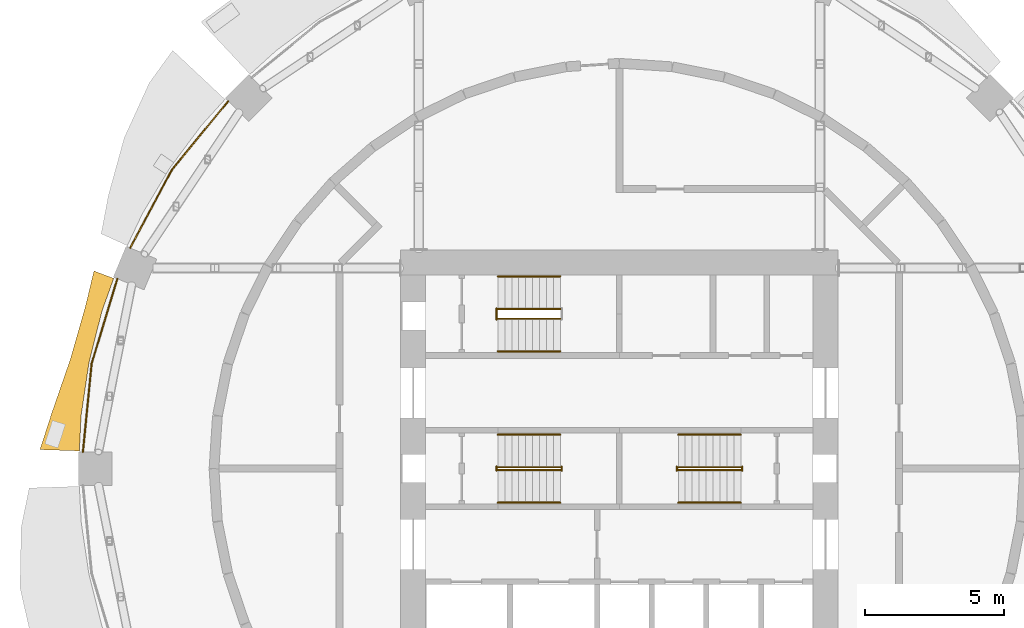
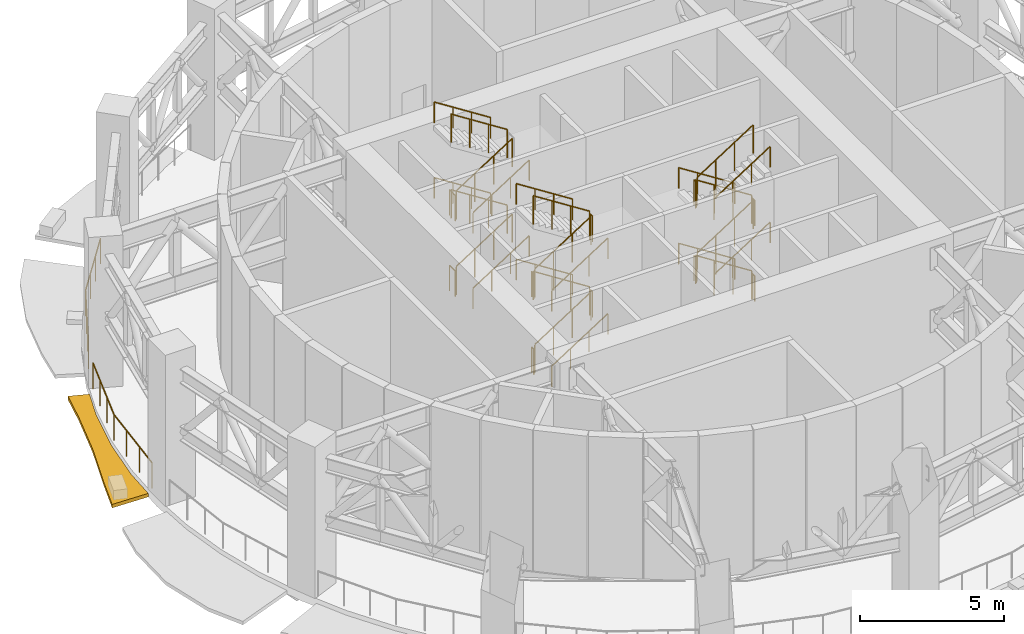
# One storey, part 11 of 14: 36 railings, 1 shading device.
"""IFC4 building model written with IfcOpenShell, lengths in metres."""

from ifc_helpers import new_model, si_unit, direction, frame, origin, origin_2d, place, context, subcontext, project, spatial, polyline, circle, outline, extrude, material, type_object, element, save


model = new_model("IFC4")

# Units and contexts
model_context = context("Model", 3, precision=1e-05, world=origin(), true_north=direction((0.0, 1.0)))
body_context = subcontext(model_context, "Body", "Model", "MODEL_VIEW")
ifc_project = project(units=[si_unit("LENGTHUNIT", "METRE"), si_unit("AREAUNIT", "SQUARE_METRE"), si_unit("VOLUMEUNIT", "CUBIC_METRE"), si_unit("PLANEANGLEUNIT", "RADIAN"), si_unit("MASSUNIT", "GRAM", prefix="KILO")], contexts=[model_context])

# Site, building, storey
site_placement = place(None, origin())
site = spatial("IfcSite", under=ifc_project, at=site_placement, CompositionType="ELEMENT")
building_placement = place(site_placement, origin())
building = spatial("IfcBuilding", under=site, at=building_placement, Name="Polderwave Tower", CompositionType="ELEMENT")
storey_placement = place(building_placement, frame((0.0, 0.0, 66.35009765625)))
storey = spatial("IfcBuildingStorey", under=building, at=storey_placement, Name="L17", CompositionType="ELEMENT", Elevation=66.35009765625)

# Railings
ifc_material_1 = material(Name="Stainless steel", Category="steel")
railing_type_1 = type_object("IfcRailingType", Name="Stair guard 1100", PredefinedType="GUARDRAIL", material=ifc_material_1)
railing_1_placement = place(storey_placement, frame((-4.3740234375, -0.051025390625, 0.039794921875)))
element("IfcRailing", 1, at=railing_1_placement, inside=storey, type_object=railing_type_1, Name="L17 ST-A stair guard 1", PredefinedType="GUARDRAIL", context=body_context, shape_type="SweptSolid", body=[
    extrude(circle(Radius=0.02392578125, at=origin_2d()), frame((0.0, 0.0, 1.1962890625), z_axis=(0.842281359387, 0.0, 0.539038135598), x_axis=(0.0, 1.0, 0.0)), (0.0, 0.0, 1.0), 2.67138671875),
    extrude(circle(Radius=0.02392578125, at=origin_2d()), origin(), (0.0, 0.0, 1.0), 1.172119140625),
    extrude(circle(Radius=0.02392578125, at=origin_2d()), frame((0.75, 0.0, 0.47998046875)), (0.0, 0.0, 1.0), 1.172119140625),
    extrude(circle(Radius=0.02392578125, at=origin_2d()), frame((1.5, 0.0, 0.9599609375)), (0.0, 0.0, 1.0), 1.172119140625),
    extrude(circle(Radius=0.02392578125, at=origin_2d()), frame((2.25, 0.0, 1.43994140625)), (0.0, 0.0, 1.0), 1.172119140625),
])
railing_2_placement = place(storey_placement, frame((-2.073974609375, -0.074951171875, 1.599853515625)))
element("IfcRailing", 2, at=railing_2_placement, inside=storey, type_object=railing_type_1, Name="L17 ST-A stair guard 2", PredefinedType="GUARDRAIL", context=body_context, shape_type="SweptSolid", body=[
    extrude(circle(Radius=0.02392578125, at=origin_2d()), frame((0.0, 0.0, 1.076171875), z_axis=(0.0, 1.0, 0.0), x_axis=(-1.0, 0.0, 0.0)), (0.0, 0.0, 1.0), 0.14990234375),
    extrude(circle(Radius=0.02099609375, at=origin_2d()), origin(), (0.0, 0.0, 1.0), 1.052001953125),
    extrude(circle(Radius=0.02099609375, at=origin_2d()), frame((0.0, 0.14990234375, 0.0)), (0.0, 0.0, 1.0), 1.052001953125),
])
railing_3_placement = place(storey_placement, frame((-2.1240234375, 0.051025390625, 1.639892578125)))
element("IfcRailing", 3, at=railing_3_placement, inside=storey, type_object=railing_type_1, Name="L17 ST-A stair guard 3", PredefinedType="GUARDRAIL", context=body_context, shape_type="SweptSolid", body=[
    extrude(circle(Radius=0.02392578125, at=origin_2d()), frame((0.0, 0.0, 1.1962890625), z_axis=(-0.842281359387, 0.0, 0.539038135598), x_axis=(0.0, -1.0, 0.0)), (0.0, 0.0, 1.0), 2.67138671875),
    extrude(circle(Radius=0.02392578125, at=origin_2d()), origin(), (0.0, 0.0, 1.0), 1.172119140625),
    extrude(circle(Radius=0.02392578125, at=origin_2d()), frame((-0.75, 0.0, 0.47998046875)), (0.0, 0.0, 1.0), 1.172119140625),
    extrude(circle(Radius=0.02392578125, at=origin_2d()), frame((-1.5, 0.0, 0.9599609375)), (0.0, 0.0, 1.0), 1.172119140625),
    extrude(circle(Radius=0.02392578125, at=origin_2d()), frame((-2.25, 0.0, 1.43994140625)), (0.0, 0.0, 1.0), 1.172119140625),
])
railing_4_placement = place(storey_placement, frame((-4.424072265625, -0.074951171875, 3.199951171875)))
element("IfcRailing", 4, at=railing_4_placement, inside=storey, type_object=railing_type_1, Name="L17 ST-A stair guard 4", PredefinedType="GUARDRAIL", context=body_context, shape_type="SweptSolid", body=[
    extrude(circle(Radius=0.02392578125, at=origin_2d()), frame((0.0, 0.0, 1.076171875), z_axis=(0.0, 1.0, 0.0), x_axis=(-1.0, 0.0, 0.0)), (0.0, 0.0, 1.0), 0.14990234375),
    extrude(circle(Radius=0.02099609375, at=origin_2d()), origin(), (0.0, 0.0, 1.0), 1.052001953125),
    extrude(circle(Radius=0.02099609375, at=origin_2d()), frame((0.0, 0.14990234375, 0.0)), (0.0, 0.0, 1.0), 1.052001953125),
])
railing_5_placement = place(storey_placement, frame((-4.3740234375, -0.051025390625, 3.23974609375)))
element("IfcRailing", 5, at=railing_5_placement, inside=storey, type_object=railing_type_1, Name="L17 ST-A stair guard 5", PredefinedType="GUARDRAIL", context=body_context, shape_type="SweptSolid", body=[
    extrude(circle(Radius=0.02392578125, at=origin_2d()), frame((0.0, 0.0, 1.1962890625), z_axis=(0.842281359387, 0.0, 0.539038135598), x_axis=(0.0, 1.0, 0.0)), (0.0, 0.0, 1.0), 2.67138671875),
    extrude(circle(Radius=0.02392578125, at=origin_2d()), origin(), (0.0, 0.0, 1.0), 1.172119140625),
    extrude(circle(Radius=0.02392578125, at=origin_2d()), frame((0.75, 0.0, 0.47998046875)), (0.0, 0.0, 1.0), 1.172119140625),
    extrude(circle(Radius=0.02392578125, at=origin_2d()), frame((1.5, 0.0, 0.9599609375)), (0.0, 0.0, 1.0), 1.172119140625),
    extrude(circle(Radius=0.02392578125, at=origin_2d()), frame((2.25, 0.0, 1.43994140625)), (0.0, 0.0, 1.0), 1.172119140625),
])
railing_6_placement = place(storey_placement, frame((-2.073974609375, -0.074951171875, 4.7998046875)))
element("IfcRailing", 6, at=railing_6_placement, inside=storey, type_object=railing_type_1, Name="L17 ST-A stair guard 6", PredefinedType="GUARDRAIL", context=body_context, shape_type="SweptSolid", body=[
    extrude(circle(Radius=0.02392578125, at=origin_2d()), frame((0.0, 0.0, 1.076171875), z_axis=(0.0, 1.0, 0.0), x_axis=(-1.0, 0.0, 0.0)), (0.0, 0.0, 1.0), 0.14990234375),
    extrude(circle(Radius=0.02099609375, at=origin_2d()), origin(), (0.0, 0.0, 1.0), 1.052001953125),
    extrude(circle(Radius=0.02099609375, at=origin_2d()), frame((0.0, 0.14990234375, 0.0)), (0.0, 0.0, 1.0), 1.052001953125),
])
railing_7_placement = place(storey_placement, frame((-2.1240234375, 0.051025390625, 4.83984375)))
element("IfcRailing", 7, at=railing_7_placement, inside=storey, type_object=railing_type_1, Name="L17 ST-A stair guard 7", PredefinedType="GUARDRAIL", context=body_context, shape_type="SweptSolid", body=[
    extrude(circle(Radius=0.02392578125, at=origin_2d()), frame((0.0, 0.0, 1.1962890625), z_axis=(-0.842281359387, 0.0, 0.539038135598), x_axis=(0.0, -1.0, 0.0)), (0.0, 0.0, 1.0), 2.67138671875),
    extrude(circle(Radius=0.02392578125, at=origin_2d()), origin(), (0.0, 0.0, 1.0), 1.172119140625),
    extrude(circle(Radius=0.02392578125, at=origin_2d()), frame((-0.75, 0.0, 0.47998046875)), (0.0, 0.0, 1.0), 1.172119140625),
    extrude(circle(Radius=0.02392578125, at=origin_2d()), frame((-1.5, 0.0, 0.9599609375)), (0.0, 0.0, 1.0), 1.172119140625),
    extrude(circle(Radius=0.02392578125, at=origin_2d()), frame((-2.25, 0.0, 1.43994140625)), (0.0, 0.0, 1.0), 1.172119140625),
])
railing_8_placement = place(storey_placement, frame((-4.424072265625, -0.074951171875, 0.0)))
element("IfcRailing", 8, at=railing_8_placement, inside=storey, type_object=railing_type_1, Name="L17 ST-A stair guard 8", PredefinedType="GUARDRAIL", context=body_context, shape_type="SweptSolid", body=[
    extrude(circle(Radius=0.02392578125, at=origin_2d()), frame((0.0, 0.0, 1.076171875), z_axis=(0.0, 1.0, 0.0), x_axis=(-1.0, 0.0, 0.0)), (0.0, 0.0, 1.0), 0.14990234375),
    extrude(circle(Radius=0.02099609375, at=origin_2d()), origin(), (0.0, 0.0, 1.0), 1.052001953125),
    extrude(circle(Radius=0.02099609375, at=origin_2d()), frame((0.0, 0.14990234375, 0.0)), (0.0, 0.0, 1.0), 1.052001953125),
])
railing_9_placement = place(storey_placement, frame((4.3740234375, 0.051025390625, 0.039794921875)))
element("IfcRailing", 9, at=railing_9_placement, inside=storey, type_object=railing_type_1, Name="L17 ST-B stair guard 1", PredefinedType="GUARDRAIL", context=body_context, shape_type="SweptSolid", body=[
    extrude(circle(Radius=0.02392578125, at=origin_2d()), frame((0.0, 0.0, 1.1962890625), z_axis=(-0.842281359387, 0.0, 0.539038135598), x_axis=(0.0, -1.0, 0.0)), (0.0, 0.0, 1.0), 2.67138671875),
    extrude(circle(Radius=0.02392578125, at=origin_2d()), origin(), (0.0, 0.0, 1.0), 1.172119140625),
    extrude(circle(Radius=0.02392578125, at=origin_2d()), frame((-0.75, 0.0, 0.47998046875)), (0.0, 0.0, 1.0), 1.172119140625),
    extrude(circle(Radius=0.02392578125, at=origin_2d()), frame((-1.5, 0.0, 0.9599609375)), (0.0, 0.0, 1.0), 1.172119140625),
    extrude(circle(Radius=0.02392578125, at=origin_2d()), frame((-2.25, 0.0, 1.43994140625)), (0.0, 0.0, 1.0), 1.172119140625),
])
railing_10_placement = place(storey_placement, frame((2.073974609375, 0.074951171875, 1.599853515625)))
element("IfcRailing", 10, at=railing_10_placement, inside=storey, type_object=railing_type_1, Name="L17 ST-B stair guard 2", PredefinedType="GUARDRAIL", context=body_context, shape_type="SweptSolid", body=[
    extrude(circle(Radius=0.02392578125, at=origin_2d()), frame((0.0, 0.0, 1.076171875), z_axis=(0.0, -1.0, 0.0), x_axis=(1.0, 0.0, 0.0)), (0.0, 0.0, 1.0), 0.14990234375),
    extrude(circle(Radius=0.02099609375, at=origin_2d()), origin(), (0.0, 0.0, 1.0), 1.052001953125),
    extrude(circle(Radius=0.02099609375, at=origin_2d()), frame((0.0, -0.14990234375, 0.0)), (0.0, 0.0, 1.0), 1.052001953125),
])
railing_11_placement = place(storey_placement, frame((2.1240234375, -0.051025390625, 1.639892578125)))
element("IfcRailing", 11, at=railing_11_placement, inside=storey, type_object=railing_type_1, Name="L17 ST-B stair guard 3", PredefinedType="GUARDRAIL", context=body_context, shape_type="SweptSolid", body=[
    extrude(circle(Radius=0.02392578125, at=origin_2d()), frame((0.0, 0.0, 1.1962890625), z_axis=(0.842281359387, 0.0, 0.539038135598), x_axis=(0.0, 1.0, 0.0)), (0.0, 0.0, 1.0), 2.67138671875),
    extrude(circle(Radius=0.02392578125, at=origin_2d()), origin(), (0.0, 0.0, 1.0), 1.172119140625),
    extrude(circle(Radius=0.02392578125, at=origin_2d()), frame((0.75, 0.0, 0.47998046875)), (0.0, 0.0, 1.0), 1.172119140625),
    extrude(circle(Radius=0.02392578125, at=origin_2d()), frame((1.5, 0.0, 0.9599609375)), (0.0, 0.0, 1.0), 1.172119140625),
    extrude(circle(Radius=0.02392578125, at=origin_2d()), frame((2.25, 0.0, 1.43994140625)), (0.0, 0.0, 1.0), 1.172119140625),
])
railing_12_placement = place(storey_placement, frame((4.424072265625, 0.074951171875, 3.199951171875)))
element("IfcRailing", 12, at=railing_12_placement, inside=storey, type_object=railing_type_1, Name="L17 ST-B stair guard 4", PredefinedType="GUARDRAIL", context=body_context, shape_type="SweptSolid", body=[
    extrude(circle(Radius=0.02392578125, at=origin_2d()), frame((0.0, 0.0, 1.076171875), z_axis=(0.0, -1.0, 0.0), x_axis=(1.0, 0.0, 0.0)), (0.0, 0.0, 1.0), 0.14990234375),
    extrude(circle(Radius=0.02099609375, at=origin_2d()), origin(), (0.0, 0.0, 1.0), 1.052001953125),
    extrude(circle(Radius=0.02099609375, at=origin_2d()), frame((0.0, -0.14990234375, 0.0)), (0.0, 0.0, 1.0), 1.052001953125),
])
railing_13_placement = place(storey_placement, frame((4.3740234375, 0.051025390625, 3.23974609375)))
element("IfcRailing", 13, at=railing_13_placement, inside=storey, type_object=railing_type_1, Name="L17 ST-B stair guard 5", PredefinedType="GUARDRAIL", context=body_context, shape_type="SweptSolid", body=[
    extrude(circle(Radius=0.02392578125, at=origin_2d()), frame((0.0, 0.0, 1.1962890625), z_axis=(-0.842281359387, 0.0, 0.539038135598), x_axis=(0.0, -1.0, 0.0)), (0.0, 0.0, 1.0), 2.67138671875),
    extrude(circle(Radius=0.02392578125, at=origin_2d()), origin(), (0.0, 0.0, 1.0), 1.172119140625),
    extrude(circle(Radius=0.02392578125, at=origin_2d()), frame((-0.75, 0.0, 0.47998046875)), (0.0, 0.0, 1.0), 1.172119140625),
    extrude(circle(Radius=0.02392578125, at=origin_2d()), frame((-1.5, 0.0, 0.9599609375)), (0.0, 0.0, 1.0), 1.172119140625),
    extrude(circle(Radius=0.02392578125, at=origin_2d()), frame((-2.25, 0.0, 1.43994140625)), (0.0, 0.0, 1.0), 1.172119140625),
])
railing_14_placement = place(storey_placement, frame((2.073974609375, 0.074951171875, 4.7998046875)))
element("IfcRailing", 14, at=railing_14_placement, inside=storey, type_object=railing_type_1, Name="L17 ST-B stair guard 6", PredefinedType="GUARDRAIL", context=body_context, shape_type="SweptSolid", body=[
    extrude(circle(Radius=0.02392578125, at=origin_2d()), frame((0.0, 0.0, 1.076171875), z_axis=(0.0, -1.0, 0.0), x_axis=(1.0, 0.0, 0.0)), (0.0, 0.0, 1.0), 0.14990234375),
    extrude(circle(Radius=0.02099609375, at=origin_2d()), origin(), (0.0, 0.0, 1.0), 1.052001953125),
    extrude(circle(Radius=0.02099609375, at=origin_2d()), frame((0.0, -0.14990234375, 0.0)), (0.0, 0.0, 1.0), 1.052001953125),
])
railing_15_placement = place(storey_placement, frame((2.1240234375, -0.051025390625, 4.83984375)))
element("IfcRailing", 15, at=railing_15_placement, inside=storey, type_object=railing_type_1, Name="L17 ST-B stair guard 7", PredefinedType="GUARDRAIL", context=body_context, shape_type="SweptSolid", body=[
    extrude(circle(Radius=0.02392578125, at=origin_2d()), frame((0.0, 0.0, 1.1962890625), z_axis=(0.842281359387, 0.0, 0.539038135598), x_axis=(0.0, 1.0, 0.0)), (0.0, 0.0, 1.0), 2.67138671875),
    extrude(circle(Radius=0.02392578125, at=origin_2d()), origin(), (0.0, 0.0, 1.0), 1.172119140625),
    extrude(circle(Radius=0.02392578125, at=origin_2d()), frame((0.75, 0.0, 0.47998046875)), (0.0, 0.0, 1.0), 1.172119140625),
    extrude(circle(Radius=0.02392578125, at=origin_2d()), frame((1.5, 0.0, 0.9599609375)), (0.0, 0.0, 1.0), 1.172119140625),
    extrude(circle(Radius=0.02392578125, at=origin_2d()), frame((2.25, 0.0, 1.43994140625)), (0.0, 0.0, 1.0), 1.172119140625),
])
railing_16_placement = place(storey_placement, frame((4.424072265625, 0.074951171875, 0.0)))
element("IfcRailing", 16, at=railing_16_placement, inside=storey, type_object=railing_type_1, Name="L17 ST-B stair guard 8", PredefinedType="GUARDRAIL", context=body_context, shape_type="SweptSolid", body=[
    extrude(circle(Radius=0.02392578125, at=origin_2d()), frame((0.0, 0.0, 1.076171875), z_axis=(0.0, -1.0, 0.0), x_axis=(1.0, 0.0, 0.0)), (0.0, 0.0, 1.0), 0.14990234375),
    extrude(circle(Radius=0.02099609375, at=origin_2d()), origin(), (0.0, 0.0, 1.0), 1.052001953125),
    extrude(circle(Radius=0.02099609375, at=origin_2d()), frame((0.0, -0.14990234375, 0.0)), (0.0, 0.0, 1.0), 1.052001953125),
])
railing_17_placement = place(storey_placement, frame((-4.3740234375, 5.39794921875, 0.039794921875)))
element("IfcRailing", 17, at=railing_17_placement, inside=storey, type_object=railing_type_1, Name="L17 ST-C stair guard 1", PredefinedType="GUARDRAIL", context=body_context, shape_type="SweptSolid", body=[
    extrude(circle(Radius=0.02392578125, at=origin_2d()), frame((0.0, 0.0, 1.1962890625), z_axis=(0.842281359387, 0.0, 0.539038135598), x_axis=(0.0, 1.0, 0.0)), (0.0, 0.0, 1.0), 2.67138671875),
    extrude(circle(Radius=0.02392578125, at=origin_2d()), origin(), (0.0, 0.0, 1.0), 1.172119140625),
    extrude(circle(Radius=0.02392578125, at=origin_2d()), frame((0.75, 0.0, 0.47998046875)), (0.0, 0.0, 1.0), 1.172119140625),
    extrude(circle(Radius=0.02392578125, at=origin_2d()), frame((1.5, 0.0, 0.9599609375)), (0.0, 0.0, 1.0), 1.172119140625),
    extrude(circle(Radius=0.02392578125, at=origin_2d()), frame((2.25, 0.0, 1.43994140625)), (0.0, 0.0, 1.0), 1.172119140625),
])
railing_18_placement = place(storey_placement, frame((-2.1240234375, 5.75, 1.639892578125)))
element("IfcRailing", 18, at=railing_18_placement, inside=storey, type_object=railing_type_1, Name="L17 ST-C stair guard 3", PredefinedType="GUARDRAIL", context=body_context, shape_type="SweptSolid", body=[
    extrude(circle(Radius=0.02392578125, at=origin_2d()), frame((0.0, 0.0, 1.1962890625), z_axis=(-0.842281359387, 0.0, 0.539038135598), x_axis=(0.0, -1.0, 0.0)), (0.0, 0.0, 1.0), 2.67138671875),
    extrude(circle(Radius=0.02392578125, at=origin_2d()), origin(), (0.0, 0.0, 1.0), 1.172119140625),
    extrude(circle(Radius=0.02392578125, at=origin_2d()), frame((-0.75, 0.0, 0.47998046875)), (0.0, 0.0, 1.0), 1.172119140625),
    extrude(circle(Radius=0.02392578125, at=origin_2d()), frame((-1.5, 0.0, 0.9599609375)), (0.0, 0.0, 1.0), 1.172119140625),
    extrude(circle(Radius=0.02392578125, at=origin_2d()), frame((-2.25, 0.0, 1.43994140625)), (0.0, 0.0, 1.0), 1.172119140625),
])
railing_19_placement = place(storey_placement, frame((-4.424072265625, 5.3740234375, 3.199951171875)))
element("IfcRailing", 19, at=railing_19_placement, inside=storey, type_object=railing_type_1, Name="L17 ST-C stair guard 4", PredefinedType="GUARDRAIL", context=body_context, shape_type="SweptSolid", body=[
    extrude(circle(Radius=0.02392578125, at=origin_2d()), frame((0.0, 0.0, 1.076171875), z_axis=(0.0, 1.0, 0.0), x_axis=(-1.0, 0.0, 0.0)), (0.0, 0.0, 1.0), 0.39990234375),
    extrude(circle(Radius=0.02099609375, at=origin_2d()), origin(), (0.0, 0.0, 1.0), 1.052001953125),
    extrude(circle(Radius=0.02099609375, at=origin_2d()), frame((0.0, 0.39990234375, 0.0)), (0.0, 0.0, 1.0), 1.052001953125),
])
railing_20_placement = place(storey_placement, frame((-4.3740234375, 5.39794921875, 3.23974609375)))
element("IfcRailing", 20, at=railing_20_placement, inside=storey, type_object=railing_type_1, Name="L17 ST-C stair guard 5", PredefinedType="GUARDRAIL", context=body_context, shape_type="SweptSolid", body=[
    extrude(circle(Radius=0.02392578125, at=origin_2d()), frame((0.0, 0.0, 1.1962890625), z_axis=(0.842281359387, 0.0, 0.539038135598), x_axis=(0.0, 1.0, 0.0)), (0.0, 0.0, 1.0), 2.67138671875),
    extrude(circle(Radius=0.02392578125, at=origin_2d()), origin(), (0.0, 0.0, 1.0), 1.172119140625),
    extrude(circle(Radius=0.02392578125, at=origin_2d()), frame((0.75, 0.0, 0.47998046875)), (0.0, 0.0, 1.0), 1.172119140625),
    extrude(circle(Radius=0.02392578125, at=origin_2d()), frame((1.5, 0.0, 0.9599609375)), (0.0, 0.0, 1.0), 1.172119140625),
    extrude(circle(Radius=0.02392578125, at=origin_2d()), frame((2.25, 0.0, 1.43994140625)), (0.0, 0.0, 1.0), 1.172119140625),
])
railing_21_placement = place(storey_placement, frame((-2.1240234375, 5.75, 4.83984375)))
element("IfcRailing", 21, at=railing_21_placement, inside=storey, type_object=railing_type_1, Name="L17 ST-C stair guard 7", PredefinedType="GUARDRAIL", context=body_context, shape_type="SweptSolid", body=[
    extrude(circle(Radius=0.02392578125, at=origin_2d()), frame((0.0, 0.0, 1.1962890625), z_axis=(-0.842281359387, 0.0, 0.539038135598), x_axis=(0.0, -1.0, 0.0)), (0.0, 0.0, 1.0), 2.67138671875),
    extrude(circle(Radius=0.02392578125, at=origin_2d()), origin(), (0.0, 0.0, 1.0), 1.172119140625),
    extrude(circle(Radius=0.02392578125, at=origin_2d()), frame((-0.75, 0.0, 0.47998046875)), (0.0, 0.0, 1.0), 1.172119140625),
    extrude(circle(Radius=0.02392578125, at=origin_2d()), frame((-1.5, 0.0, 0.9599609375)), (0.0, 0.0, 1.0), 1.172119140625),
    extrude(circle(Radius=0.02392578125, at=origin_2d()), frame((-2.25, 0.0, 1.43994140625)), (0.0, 0.0, 1.0), 1.172119140625),
])
railing_22_placement = place(storey_placement, frame((-4.424072265625, 5.3740234375, 0.0)))
element("IfcRailing", 22, at=railing_22_placement, inside=storey, type_object=railing_type_1, Name="L17 ST-C stair guard 8", PredefinedType="GUARDRAIL", context=body_context, shape_type="SweptSolid", body=[
    extrude(circle(Radius=0.02392578125, at=origin_2d()), frame((0.0, 0.0, 1.076171875), z_axis=(0.0, 1.0, 0.0), x_axis=(-1.0, 0.0, 0.0)), (0.0, 0.0, 1.0), 0.39990234375),
    extrude(circle(Radius=0.02099609375, at=origin_2d()), origin(), (0.0, 0.0, 1.0), 1.052001953125),
    extrude(circle(Radius=0.02099609375, at=origin_2d()), frame((0.0, 0.39990234375, 0.0)), (0.0, 0.0, 1.0), 1.052001953125),
])
railing_type_2 = type_object("IfcRailingType", Name="Stair handrail 900", PredefinedType="HANDRAIL", material=ifc_material_1)
railing_23_placement = place(storey_placement, frame((-4.3740234375, -1.22509765625, 0.159912109375)))
element("IfcRailing", 23, at=railing_23_placement, inside=storey, type_object=railing_type_2, Name="L17 ST-A stair handrail 1", PredefinedType="HANDRAIL", context=body_context, shape_type="SweptSolid", body=[
    extrude(circle(Radius=0.02392578125, at=origin_2d()), frame((0.0, 0.0, 0.8759765625), z_axis=(0.842281359387, 0.0, 0.539038135598), x_axis=(0.0, 1.0, 0.0)), (0.0, 0.0, 1.0), 2.67138671875),
    extrude(circle(Radius=0.02099609375, at=origin_2d()), origin(), (0.0, 0.0, 1.0), 0.851806640625),
    extrude(circle(Radius=0.02099609375, at=origin_2d()), frame((0.75, 0.0, 0.47998046875)), (0.0, 0.0, 1.0), 0.851806640625),
    extrude(circle(Radius=0.02099609375, at=origin_2d()), frame((1.5, 0.0, 0.9599609375)), (0.0, 0.0, 1.0), 0.851806640625),
    extrude(circle(Radius=0.02099609375, at=origin_2d()), frame((2.25, 0.0, 1.43994140625)), (0.0, 0.0, 1.0), 0.851806640625),
])
railing_24_placement = place(storey_placement, frame((-2.1240234375, 1.22509765625, 1.760009765625)))
element("IfcRailing", 24, at=railing_24_placement, inside=storey, type_object=railing_type_2, Name="L17 ST-A stair handrail 2", PredefinedType="HANDRAIL", context=body_context, shape_type="SweptSolid", body=[
    extrude(circle(Radius=0.02392578125, at=origin_2d()), frame((0.0, 0.0, 0.8759765625), z_axis=(-0.842281359387, 0.0, 0.539038135598), x_axis=(0.0, -1.0, 0.0)), (0.0, 0.0, 1.0), 2.67138671875),
    extrude(circle(Radius=0.02099609375, at=origin_2d()), origin(), (0.0, 0.0, 1.0), 0.851806640625),
    extrude(circle(Radius=0.02099609375, at=origin_2d()), frame((-0.75, 0.0, 0.47998046875)), (0.0, 0.0, 1.0), 0.851806640625),
    extrude(circle(Radius=0.02099609375, at=origin_2d()), frame((-1.5, 0.0, 0.9599609375)), (0.0, 0.0, 1.0), 0.851806640625),
    extrude(circle(Radius=0.02099609375, at=origin_2d()), frame((-2.25, 0.0, 1.43994140625)), (0.0, 0.0, 1.0), 0.851806640625),
])
railing_25_placement = place(storey_placement, frame((-4.3740234375, -1.22509765625, 3.35986328125)))
element("IfcRailing", 25, at=railing_25_placement, inside=storey, type_object=railing_type_2, Name="L17 ST-A stair handrail 3", PredefinedType="HANDRAIL", context=body_context, shape_type="SweptSolid", body=[
    extrude(circle(Radius=0.02392578125, at=origin_2d()), frame((0.0, 0.0, 0.8759765625), z_axis=(0.842281359387, 0.0, 0.539038135598), x_axis=(0.0, 1.0, 0.0)), (0.0, 0.0, 1.0), 2.67138671875),
    extrude(circle(Radius=0.02099609375, at=origin_2d()), origin(), (0.0, 0.0, 1.0), 0.851806640625),
    extrude(circle(Radius=0.02099609375, at=origin_2d()), frame((0.75, 0.0, 0.47998046875)), (0.0, 0.0, 1.0), 0.851806640625),
    extrude(circle(Radius=0.02099609375, at=origin_2d()), frame((1.5, 0.0, 0.9599609375)), (0.0, 0.0, 1.0), 0.851806640625),
    extrude(circle(Radius=0.02099609375, at=origin_2d()), frame((2.25, 0.0, 1.43994140625)), (0.0, 0.0, 1.0), 0.851806640625),
])
for number, where, name in (
    (26, (-2.1240234375, 1.22509765625, 4.9599609375), "L17 ST-A stair handrail 4"),
    (27, (4.3740234375, 1.22509765625, 0.159912109375), "L17 ST-B stair handrail 1"),
):
    element("IfcRailing", number, at=place(storey_placement, frame(where)), inside=storey, type_object=railing_type_2, Name=name, PredefinedType="HANDRAIL", context=body_context, shape_type="SweptSolid", body=[
        extrude(circle(Radius=0.02392578125, at=origin_2d()), frame((0.0, 0.0, 0.8759765625), z_axis=(-0.842281359387, 0.0, 0.539038135598), x_axis=(0.0, -1.0, 0.0)), (0.0, 0.0, 1.0), 2.67138671875),
        extrude(circle(Radius=0.02099609375, at=origin_2d()), origin(), (0.0, 0.0, 1.0), 0.851806640625),
        extrude(circle(Radius=0.02099609375, at=origin_2d()), frame((-0.75, 0.0, 0.47998046875)), (0.0, 0.0, 1.0), 0.851806640625),
        extrude(circle(Radius=0.02099609375, at=origin_2d()), frame((-1.5, 0.0, 0.9599609375)), (0.0, 0.0, 1.0), 0.851806640625),
        extrude(circle(Radius=0.02099609375, at=origin_2d()), frame((-2.25, 0.0, 1.43994140625)), (0.0, 0.0, 1.0), 0.851806640625),
    ])
railing_26_placement = place(storey_placement, frame((2.1240234375, -1.22509765625, 1.760009765625)))
element("IfcRailing", 28, at=railing_26_placement, inside=storey, type_object=railing_type_2, Name="L17 ST-B stair handrail 2", PredefinedType="HANDRAIL", context=body_context, shape_type="SweptSolid", body=[
    extrude(circle(Radius=0.02392578125, at=origin_2d()), frame((0.0, 0.0, 0.8759765625), z_axis=(0.842281359387, 0.0, 0.539038135598), x_axis=(0.0, 1.0, 0.0)), (0.0, 0.0, 1.0), 2.67138671875),
    extrude(circle(Radius=0.02099609375, at=origin_2d()), origin(), (0.0, 0.0, 1.0), 0.851806640625),
    extrude(circle(Radius=0.02099609375, at=origin_2d()), frame((0.75, 0.0, 0.47998046875)), (0.0, 0.0, 1.0), 0.851806640625),
    extrude(circle(Radius=0.02099609375, at=origin_2d()), frame((1.5, 0.0, 0.9599609375)), (0.0, 0.0, 1.0), 0.851806640625),
    extrude(circle(Radius=0.02099609375, at=origin_2d()), frame((2.25, 0.0, 1.43994140625)), (0.0, 0.0, 1.0), 0.851806640625),
])
railing_27_placement = place(storey_placement, frame((4.3740234375, 1.22509765625, 3.35986328125)))
element("IfcRailing", 29, at=railing_27_placement, inside=storey, type_object=railing_type_2, Name="L17 ST-B stair handrail 3", PredefinedType="HANDRAIL", context=body_context, shape_type="SweptSolid", body=[
    extrude(circle(Radius=0.02392578125, at=origin_2d()), frame((0.0, 0.0, 0.8759765625), z_axis=(-0.842281359387, 0.0, 0.539038135598), x_axis=(0.0, -1.0, 0.0)), (0.0, 0.0, 1.0), 2.67138671875),
    extrude(circle(Radius=0.02099609375, at=origin_2d()), origin(), (0.0, 0.0, 1.0), 0.851806640625),
    extrude(circle(Radius=0.02099609375, at=origin_2d()), frame((-0.75, 0.0, 0.47998046875)), (0.0, 0.0, 1.0), 0.851806640625),
    extrude(circle(Radius=0.02099609375, at=origin_2d()), frame((-1.5, 0.0, 0.9599609375)), (0.0, 0.0, 1.0), 0.851806640625),
    extrude(circle(Radius=0.02099609375, at=origin_2d()), frame((-2.25, 0.0, 1.43994140625)), (0.0, 0.0, 1.0), 0.851806640625),
])
for number, where, name in (
    (30, (2.1240234375, -1.22509765625, 4.9599609375), "L17 ST-B stair handrail 4"),
    (31, (-4.3740234375, 4.22412109375, 0.159912109375), "L17 ST-C stair handrail 1"),
):
    element("IfcRailing", number, at=place(storey_placement, frame(where)), inside=storey, type_object=railing_type_2, Name=name, PredefinedType="HANDRAIL", context=body_context, shape_type="SweptSolid", body=[
        extrude(circle(Radius=0.02392578125, at=origin_2d()), frame((0.0, 0.0, 0.8759765625), z_axis=(0.842281359387, 0.0, 0.539038135598), x_axis=(0.0, 1.0, 0.0)), (0.0, 0.0, 1.0), 2.67138671875),
        extrude(circle(Radius=0.02099609375, at=origin_2d()), origin(), (0.0, 0.0, 1.0), 0.851806640625),
        extrude(circle(Radius=0.02099609375, at=origin_2d()), frame((0.75, 0.0, 0.47998046875)), (0.0, 0.0, 1.0), 0.851806640625),
        extrude(circle(Radius=0.02099609375, at=origin_2d()), frame((1.5, 0.0, 0.9599609375)), (0.0, 0.0, 1.0), 0.851806640625),
        extrude(circle(Radius=0.02099609375, at=origin_2d()), frame((2.25, 0.0, 1.43994140625)), (0.0, 0.0, 1.0), 0.851806640625),
    ])
railing_28_placement = place(storey_placement, frame((-2.1240234375, 6.924072265625, 1.760009765625)))
element("IfcRailing", 32, at=railing_28_placement, inside=storey, type_object=railing_type_2, Name="L17 ST-C stair handrail 2", PredefinedType="HANDRAIL", context=body_context, shape_type="SweptSolid", body=[
    extrude(circle(Radius=0.02392578125, at=origin_2d()), frame((0.0, 0.0, 0.8759765625), z_axis=(-0.842281359387, 0.0, 0.539038135598), x_axis=(0.0, -1.0, 0.0)), (0.0, 0.0, 1.0), 2.67138671875),
    extrude(circle(Radius=0.02099609375, at=origin_2d()), origin(), (0.0, 0.0, 1.0), 0.851806640625),
    extrude(circle(Radius=0.02099609375, at=origin_2d()), frame((-0.75, 0.0, 0.47998046875)), (0.0, 0.0, 1.0), 0.851806640625),
    extrude(circle(Radius=0.02099609375, at=origin_2d()), frame((-1.5, 0.0, 0.9599609375)), (0.0, 0.0, 1.0), 0.851806640625),
    extrude(circle(Radius=0.02099609375, at=origin_2d()), frame((-2.25, 0.0, 1.43994140625)), (0.0, 0.0, 1.0), 0.851806640625),
])
railing_29_placement = place(storey_placement, frame((-4.3740234375, 4.22412109375, 3.35986328125)))
element("IfcRailing", 33, at=railing_29_placement, inside=storey, type_object=railing_type_2, Name="L17 ST-C stair handrail 3", PredefinedType="HANDRAIL", context=body_context, shape_type="SweptSolid", body=[
    extrude(circle(Radius=0.02392578125, at=origin_2d()), frame((0.0, 0.0, 0.8759765625), z_axis=(0.842281359387, 0.0, 0.539038135598), x_axis=(0.0, 1.0, 0.0)), (0.0, 0.0, 1.0), 2.67138671875),
    extrude(circle(Radius=0.02099609375, at=origin_2d()), origin(), (0.0, 0.0, 1.0), 0.851806640625),
    extrude(circle(Radius=0.02099609375, at=origin_2d()), frame((0.75, 0.0, 0.47998046875)), (0.0, 0.0, 1.0), 0.851806640625),
    extrude(circle(Radius=0.02099609375, at=origin_2d()), frame((1.5, 0.0, 0.9599609375)), (0.0, 0.0, 1.0), 0.851806640625),
    extrude(circle(Radius=0.02099609375, at=origin_2d()), frame((2.25, 0.0, 1.43994140625)), (0.0, 0.0, 1.0), 0.851806640625),
])
railing_30_placement = place(storey_placement, frame((-2.1240234375, 6.924072265625, 4.9599609375)))
element("IfcRailing", 34, at=railing_30_placement, inside=storey, type_object=railing_type_2, Name="L17 ST-C stair handrail 4", PredefinedType="HANDRAIL", context=body_context, shape_type="SweptSolid", body=[
    extrude(circle(Radius=0.02392578125, at=origin_2d()), frame((0.0, 0.0, 0.8759765625), z_axis=(-0.842281359387, 0.0, 0.539038135598), x_axis=(0.0, -1.0, 0.0)), (0.0, 0.0, 1.0), 2.67138671875),
    extrude(circle(Radius=0.02099609375, at=origin_2d()), origin(), (0.0, 0.0, 1.0), 0.851806640625),
    extrude(circle(Radius=0.02099609375, at=origin_2d()), frame((-0.75, 0.0, 0.47998046875)), (0.0, 0.0, 1.0), 0.851806640625),
    extrude(circle(Radius=0.02099609375, at=origin_2d()), frame((-1.5, 0.0, 0.9599609375)), (0.0, 0.0, 1.0), 0.851806640625),
    extrude(circle(Radius=0.02099609375, at=origin_2d()), frame((-2.25, 0.0, 1.43994140625)), (0.0, 0.0, 1.0), 0.851806640625),
])

# Shading device
ifc_material_2 = material(Name="Terracotta", Category="masonry")
shading_device_type = type_object("IfcShadingDeviceType", Name="Terracotta sunshade band", PredefinedType="USERDEFINED", material=ifc_material_2)
shading_device_placement = place(storey_placement, frame((0.0, 0.0, -0.35009765625)))
element("IfcShadingDevice", 35, at=shading_device_placement, inside=storey, type_object=shading_device_type, Name="Sunshade band L17 8", ObjectType="SUNSHADE", PredefinedType="USERDEFINED", context=body_context, shape_type="SweptSolid", body=[
    extrude(outline(polyline([(-18.21240234375, 6.852783203125), (-18.64111328125, 5.65478515625), (-19.105712890625, 3.80029296875), (-19.38623046875, 1.909423828125), (-19.448486328125, 0.638427734375), (-20.867919921875, 0.684814453125), (-20.438720703125, 2.012939453125), (-19.77490234375, 3.93359375), (-19.23095703125, 5.83349609375), (-18.92333984375, 7.120361328125), (-18.21240234375, 6.852783203125)])), origin(), (0.0, 0.0, 1.0), 0.14990234375),
])

# Railings
ifc_material_3 = material(Name="Stainless steel 316", Category="steel")
railing_type_3 = type_object("IfcRailingType", Name="Wind floor guard 1100", PredefinedType="GUARDRAIL", material=ifc_material_3)
railing_31_placement = place(storey_placement, frame((-14.086181640625, 13.23779296875, 0.0)))
element("IfcRailing", 36, at=railing_31_placement, inside=storey, type_object=railing_type_3, Name="Wind floor guard L17 7", PredefinedType="GUARDRAIL", context=body_context, shape_type="SweptSolid", body=[
    extrude(circle(Radius=0.02490234375, at=origin_2d()), frame((0.0, 0.0, 1.0751953125), z_axis=(-0.634426630957, -0.772983085153, 0.0), x_axis=(0.772983085153, -0.634426630957, 0.0)), (0.0, 0.0, 1.0), 3.1962890625),
    extrude(circle(Radius=0.02490234375, at=origin_2d()), frame((-2.02783203125, -2.470703125, 1.0751953125), z_axis=(-0.471337323832, -0.881953018682, 0.0), x_axis=(0.881953018682, -0.471337323832, 0.0)), (0.0, 0.0, 1.0), 3.196533203125),
    extrude(circle(Radius=0.02001953125, at=origin_2d()), origin(), (0.0, 0.0, 1.0), 1.050048828125),
    extrude(circle(Radius=0.02001953125, at=origin_2d()), frame((-0.676025390625, -0.823486328125, 0.0)), (0.0, 0.0, 1.0), 1.050048828125),
    extrude(circle(Radius=0.02001953125, at=origin_2d()), frame((-1.351806640625, -1.647216796875, 0.0)), (0.0, 0.0, 1.0), 1.050048828125),
    extrude(circle(Radius=0.02001953125, at=origin_2d()), frame((-2.02783203125, -2.470703125, 0.0)), (0.0, 0.0, 1.0), 1.050048828125),
    extrude(circle(Radius=0.02001953125, at=origin_2d()), frame((-2.530029296875, -3.410400390625, 0.0)), (0.0, 0.0, 1.0), 1.050048828125),
    extrude(circle(Radius=0.02001953125, at=origin_2d()), frame((-3.0322265625, -4.35009765625, 0.0)), (0.0, 0.0, 1.0), 1.050048828125),
    extrude(circle(Radius=0.02001953125, at=origin_2d()), frame((-3.534423828125, -5.289794921875, 0.0)), (0.0, 0.0, 1.0), 1.050048828125),
])
railing_32_placement = place(storey_placement, frame((-18.079833984375, 6.839599609375, 0.0)))
element("IfcRailing", 37, at=railing_32_placement, inside=storey, type_object=railing_type_3, Name="Wind floor guard L17 8", PredefinedType="GUARDRAIL", context=body_context, shape_type="SweptSolid", body=[
    extrude(circle(Radius=0.02490234375, at=origin_2d()), frame((0.0, 0.0, 1.0751953125), z_axis=(-0.290261786496, -0.956947279269, 0.0), x_axis=(0.956947279269, -0.290261786496, 0.0)), (0.0, 0.0, 1.0), 3.1962890625),
    extrude(circle(Radius=0.02490234375, at=origin_2d()), frame((-0.927734375, -3.05859375, 1.0751953125), z_axis=(-0.097998644661, -0.995186548163, 0.0), x_axis=(0.995186548163, -0.097998644661, 0.0)), (0.0, 0.0, 1.0), 3.1962890625),
    extrude(circle(Radius=0.02001953125, at=origin_2d()), origin(), (0.0, 0.0, 1.0), 1.050048828125),
    extrude(circle(Radius=0.02001953125, at=origin_2d()), frame((-0.309326171875, -1.01953125, 0.0)), (0.0, 0.0, 1.0), 1.050048828125),
    extrude(circle(Radius=0.02001953125, at=origin_2d()), frame((-0.618408203125, -2.0390625, 0.0)), (0.0, 0.0, 1.0), 1.050048828125),
    extrude(circle(Radius=0.02001953125, at=origin_2d()), frame((-0.927734375, -3.05859375, 0.0)), (0.0, 0.0, 1.0), 1.050048828125),
    extrude(circle(Radius=0.02001953125, at=origin_2d()), frame((-1.0322265625, -4.118896484375, 0.0)), (0.0, 0.0, 1.0), 1.050048828125),
    extrude(circle(Radius=0.02001953125, at=origin_2d()), frame((-1.136474609375, -5.17919921875, 0.0)), (0.0, 0.0, 1.0), 1.050048828125),
    extrude(circle(Radius=0.02001953125, at=origin_2d()), frame((-1.240966796875, -6.239501953125, 0.0)), (0.0, 0.0, 1.0), 1.050048828125),
])

save(model, "model.ifc")
